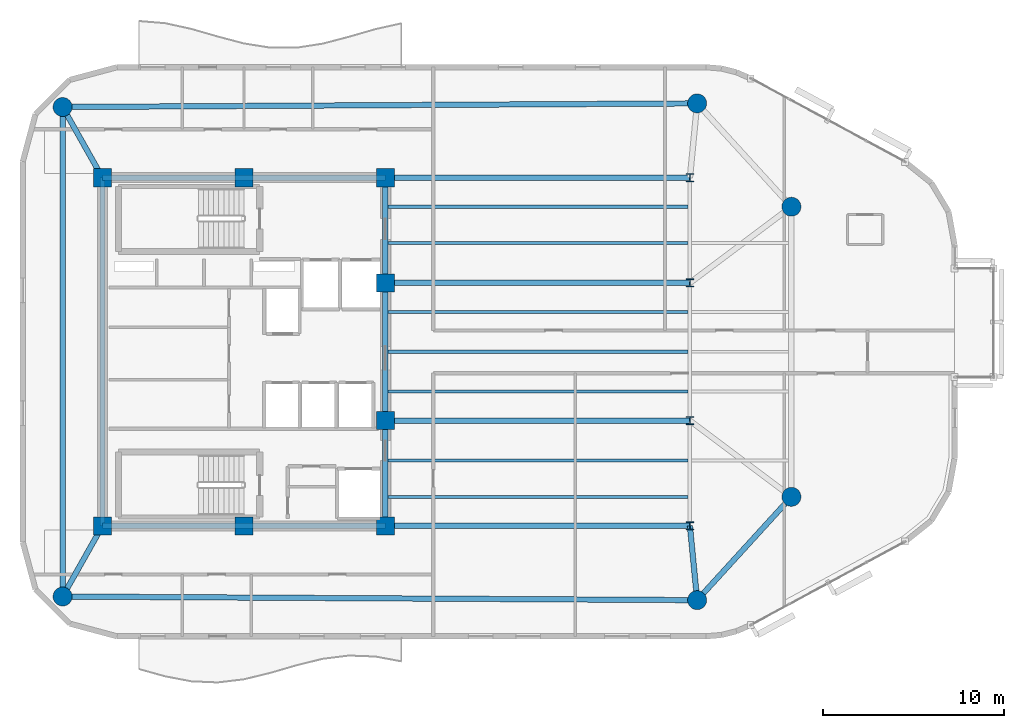
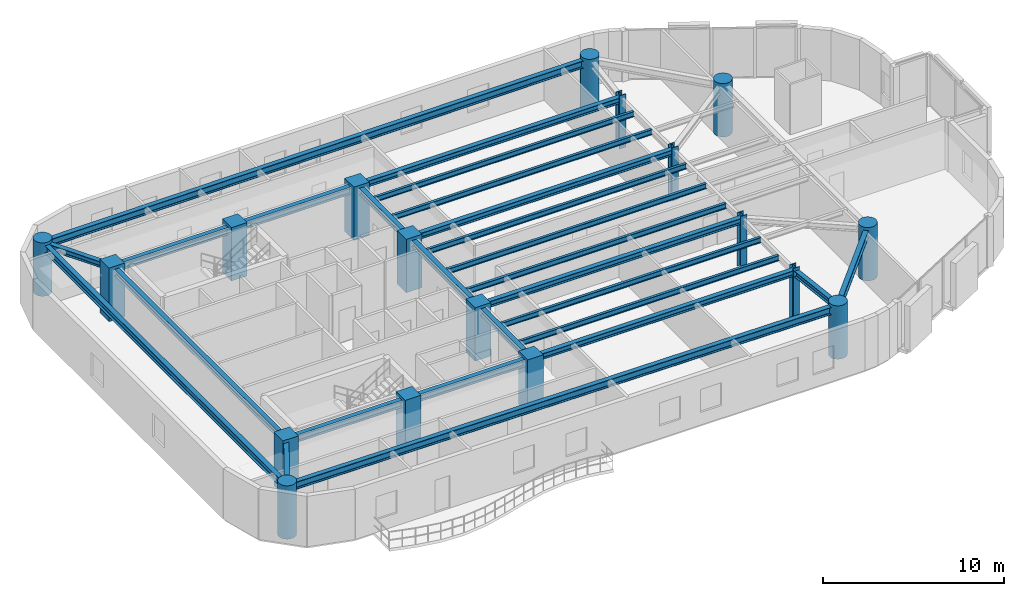
# One storey, part 1 of 15: 24 beams, 18 columns.
"""IFC4 building model written with IfcOpenShell, lengths in metres."""

from ifc_helpers import new_model, si_unit, direction, frame, origin, origin_2d, place, context, subcontext, project, spatial, rectangle, circle, i_section, extrude, material, material_profile, profile_set, type_object, element, save


model = new_model("IFC4")

# Units and contexts
model_context = context("Model", 3, precision=1e-05, world=origin(), true_north=direction((0.0, 1.0)))
body_context = subcontext(model_context, "Body", "Model", "MODEL_VIEW")
ifc_project = project(units=[si_unit("LENGTHUNIT", "METRE"), si_unit("AREAUNIT", "SQUARE_METRE"), si_unit("VOLUMEUNIT", "CUBIC_METRE"), si_unit("PLANEANGLEUNIT", "RADIAN"), si_unit("MASSUNIT", "GRAM", prefix="KILO")], contexts=[model_context])

# Site, building, storey
site_placement = place(None, origin())
site = spatial("IfcSite", under=ifc_project, at=site_placement, CompositionType="ELEMENT")
building_placement = place(site_placement, origin())
building = spatial("IfcBuilding", under=site, at=building_placement, Name="An Khanh Terracotta Commons", CompositionType="ELEMENT")
storey_placement = place(building_placement, frame((0.0, 0.0, 208.5)))
storey = spatial("IfcBuildingStorey", under=building, at=storey_placement, Name="L54", CompositionType="ELEMENT", Elevation=208.5)

# Columns
ifc_material_1 = material(Name="Concrete C60/75", Category="concrete")
ifc_material_profile_1 = material_profile(ifc_material_1, circle(Radius=0.52490234375, at=origin_2d()), Name="CFST1050")
ifc_profile_set_1 = profile_set([ifc_material_profile_1], Name="Concrete C60/75")
column_type_1 = type_object("IfcColumnType", Name="COL-CFST1050", PredefinedType="COLUMN", material=ifc_profile_set_1)
for number, where, z_axis, x_axis, name in (
    (1, (19.39990234375, 10.5, 0.0), (0.0, 0.0, 1.0), (1.0, 0.0, 0.0), "L54 Perimeter CFST Mega-Column MC-01"),
    (2, (54.39990234375, 10.300048828125, 0.0), (0.0, 0.0, 1.0), (1.0, 0.0, 0.0), "L54 Perimeter CFST Mega-Column MC-02"),
    (3, (59.60009765625, 16.0, 0.0), (0.0, 0.0, 1.0), (1.0, 0.0, 0.0), "L54 Perimeter CFST Mega-Column MC-03"),
    (4, (59.60009765625, 32.0, 0.0), (0.0, 0.0, 1.0), (1.0, 0.0, 0.0), "L54 Perimeter CFST Mega-Column MC-04"),
    (5, (54.39990234375, 37.699951171875, 0.0), (0.0, 0.0, 1.0), (1.0, 0.0, 0.0), "L54 Perimeter CFST Mega-Column MC-05"),
    (6, (19.39990234375, 37.5, 0.0), (0.0, 0.0, 1.0), (1.0, 0.0, 0.0), "L54 Perimeter CFST Mega-Column MC-06"),
):
    element("IfcColumn", number, at=place(storey_placement, frame(where, z_axis=z_axis, x_axis=x_axis)), inside=storey, type_object=column_type_1, Name=name, PredefinedType="COLUMN", context=body_context, shape_type="SweptSolid", body=[
        extrude(circle(Radius=0.52490234375, at=origin_2d()), origin(), (0.0, 0.0, 1.0), 3.60009765625),
    ])
ifc_material_2 = material(Name="Steel S460ML", Category="steel")
ifc_material_profile_2 = material_profile(ifc_material_2, i_section(OverallWidth=0.406005859375, OverallDepth=0.43994140625, WebThickness=0.02392578125, FlangeThickness=0.0390625, FilletRadius=0.014892578125, at=origin_2d()), Name="HD400x314")
ifc_profile_set_2 = profile_set([ifc_material_profile_2], Name="Steel S460ML")
column_type_2 = type_object("IfcColumnType", Name="COL-HD400x314", PredefinedType="COLUMN", material=ifc_profile_set_2)
for number, where, z_axis, x_axis, name in (
    (7, (54.0, 14.39990234375, 0.0), (0.0, 0.0, 1.0), (1.0, 0.0, 0.0), "L54 Interior Frame Column TC-01"),
    (8, (54.0, 20.199951171875, 0.0), (0.0, 0.0, 1.0), (1.0, 0.0, 0.0), "L54 Interior Frame Column TC-02"),
    (9, (54.0, 27.800048828125, 0.0), (0.0, 0.0, 1.0), (1.0, 0.0, 0.0), "L54 Interior Frame Column TC-03"),
    (10, (54.0, 33.60009765625, 0.0), (0.0, 0.0, 1.0), (1.0, 0.0, 0.0), "L54 Interior Frame Column TC-04"),
):
    element("IfcColumn", number, at=place(storey_placement, frame(where, z_axis=z_axis, x_axis=x_axis)), inside=storey, type_object=column_type_2, Name=name, PredefinedType="COLUMN", context=body_context, shape_type="SweptSolid", body=[
        extrude(i_section(OverallWidth=0.406005859375, OverallDepth=0.43994140625, WebThickness=0.02392578125, FlangeThickness=0.0390625, FilletRadius=0.014892578125, at=origin_2d()), origin(), (0.0, 0.0, 1.0), 3.60009765625),
    ])
ifc_material_profile_3 = material_profile(ifc_material_1, rectangle(XDim=1.0, YDim=1.0, at=origin_2d()), Name="RC1000x1000")
ifc_profile_set_3 = profile_set([ifc_material_profile_3], Name="Concrete C60/75")
column_type_3 = type_object("IfcColumnType", Name="COL-RC1000x1000", PredefinedType="COLUMN", material=ifc_profile_set_3)
for number, where, z_axis, x_axis, name in (
    (11, (21.60009765625, 14.39990234375, 0.0), (0.0, 0.0, 1.0), (1.0, 0.0, 0.0), "L54 Core Boundary Column CC-01"),
    (12, (29.39990234375, 14.39990234375, 0.0), (0.0, 0.0, 1.0), (1.0, 0.0, 0.0), "L54 Core Boundary Column CC-02"),
    (13, (37.199951171875, 14.39990234375, 0.0), (0.0, 0.0, 1.0), (1.0, 0.0, 0.0), "L54 Core Boundary Column CC-03"),
    (14, (37.199951171875, 20.199951171875, 0.0), (0.0, 0.0, 1.0), (1.0, 0.0, 0.0), "L54 Core Boundary Column CC-04"),
    (15, (37.199951171875, 27.800048828125, 0.0), (0.0, 0.0, 1.0), (1.0, 0.0, 0.0), "L54 Core Boundary Column CC-05"),
    (16, (37.199951171875, 33.60009765625, 0.0), (0.0, 0.0, 1.0), (1.0, 0.0, 0.0), "L54 Core Boundary Column CC-06"),
    (17, (29.39990234375, 33.60009765625, 0.0), (0.0, 0.0, 1.0), (1.0, 0.0, 0.0), "L54 Core Boundary Column CC-07"),
    (18, (21.60009765625, 33.60009765625, 0.0), (0.0, 0.0, 1.0), (1.0, 0.0, 0.0), "L54 Core Boundary Column CC-08"),
):
    element("IfcColumn", number, at=place(storey_placement, frame(where, z_axis=z_axis, x_axis=x_axis)), inside=storey, type_object=column_type_3, Name=name, PredefinedType="COLUMN", context=body_context, shape_type="SweptSolid", body=[
        extrude(rectangle(XDim=1.0, YDim=1.0, at=origin_2d()), origin(), (0.0, 0.0, 1.0), 3.60009765625),
    ])

# Beams
ifc_material_3 = material(Name="Steel S355J2", Category="steel")
ifc_material_profile_4 = material_profile(ifc_material_3, i_section(OverallWidth=0.300048828125, OverallDepth=0.39990234375, WebThickness=0.013427734375, FlangeThickness=0.02392578125, FilletRadius=0.027099609375, at=origin_2d()), Name="HEB400")
ifc_profile_set_4 = profile_set([ifc_material_profile_4], Name="Steel S355J2")
beam_type_1 = type_object("IfcBeamType", Name="BM-HEB400", PredefinedType="BEAM", material=ifc_profile_set_4)
for number, where, z_axis, x_axis, name in (
    (19, (37.199951171875, 14.39990234375, 3.199951171875), (1.0, 0.0, 0.0), (0.0, 1.0, 0.0), "L54 East Primary Floor Girder 1"),
    (20, (37.199951171875, 20.199951171875, 3.199951171875), (1.0, 0.0, 0.0), (0.0, 1.0, 0.0), "L54 East Primary Floor Girder 2"),
    (21, (37.199951171875, 27.800048828125, 3.199951171875), (1.0, 0.0, 0.0), (0.0, 1.0, 0.0), "L54 East Primary Floor Girder 3"),
    (22, (37.199951171875, 33.60009765625, 3.199951171875), (1.0, 0.0, 0.0), (0.0, 1.0, 0.0), "L54 East Primary Floor Girder 4"),
):
    element("IfcBeam", number, at=place(storey_placement, frame(where, z_axis=z_axis, x_axis=x_axis)), inside=storey, type_object=beam_type_1, Name=name, PredefinedType="BEAM", context=body_context, shape_type="SweptSolid", body=[
        extrude(i_section(OverallWidth=0.300048828125, OverallDepth=0.39990234375, WebThickness=0.013427734375, FlangeThickness=0.02392578125, FilletRadius=0.027099609375, at=origin_2d()), origin(), (0.0, 0.0, 1.0), 16.800048828125),
    ])
beam_1_placement = place(storey_placement, frame((19.39990234375, 10.5, 3.199951171875), z_axis=(0.491363608436, 0.870954536302, 0.0), x_axis=(-0.870954536302, 0.491363608436, 0.0)))
element("IfcBeam", 23, at=beam_1_placement, inside=storey, type_object=beam_type_1, Name="L54 Mega-Column Tie Girder 1", PredefinedType="BEAM", context=body_context, shape_type="SweptSolid", body=[
    extrude(i_section(OverallWidth=0.300048828125, OverallDepth=0.39990234375, WebThickness=0.013427734375, FlangeThickness=0.02392578125, FilletRadius=0.027099609375, at=origin_2d()), origin(), (0.0, 0.0, 1.0), 4.477783203125),
])
beam_2_placement = place(storey_placement, frame((54.39990234375, 10.300048828125, 3.199951171875), z_axis=(-0.097079917443, 0.995276589511, 0.0), x_axis=(-0.995276589511, -0.097079917443, 0.0)))
element("IfcBeam", 24, at=beam_2_placement, inside=storey, type_object=beam_type_1, Name="L54 Mega-Column Tie Girder 2", PredefinedType="BEAM", context=body_context, shape_type="SweptSolid", body=[
    extrude(i_section(OverallWidth=0.300048828125, OverallDepth=0.39990234375, WebThickness=0.013427734375, FlangeThickness=0.02392578125, FilletRadius=0.027099609375, at=origin_2d()), origin(), (0.0, 0.0, 1.0), 4.119384765625),
])
beam_3_placement = place(storey_placement, frame((19.39990234375, 37.5, 3.199951171875), z_axis=(0.491363608436, -0.870954536302, 0.0), x_axis=(0.870954536302, 0.491363608436, 0.0)))
element("IfcBeam", 25, at=beam_3_placement, inside=storey, type_object=beam_type_1, Name="L54 Mega-Column Tie Girder 6", PredefinedType="BEAM", context=body_context, shape_type="SweptSolid", body=[
    extrude(i_section(OverallWidth=0.300048828125, OverallDepth=0.39990234375, WebThickness=0.013427734375, FlangeThickness=0.02392578125, FilletRadius=0.027099609375, at=origin_2d()), origin(), (0.0, 0.0, 1.0), 4.477783203125),
])
ifc_material_profile_5 = material_profile(ifc_material_3, i_section(OverallWidth=0.300048828125, OverallDepth=0.449951171875, WebThickness=0.013916015625, FlangeThickness=0.02587890625, FilletRadius=0.027099609375, at=origin_2d()), Name="HEB450")
ifc_profile_set_5 = profile_set([ifc_material_profile_5], Name="Steel S355J2")
beam_type_2 = type_object("IfcBeamType", Name="BM-HEB450", PredefinedType="BEAM", material=ifc_profile_set_5)
beam_4_placement = place(storey_placement, frame((37.199951171875, 14.39990234375, 3.175048828125), z_axis=(0.0, 1.0, 0.0), x_axis=(-1.0, 0.0, 0.0)))
element("IfcBeam", 26, at=beam_4_placement, inside=storey, type_object=beam_type_2, Name="L54 Core East Coupling Girder 1", PredefinedType="BEAM", context=body_context, shape_type="SweptSolid", body=[
    extrude(i_section(OverallWidth=0.300048828125, OverallDepth=0.449951171875, WebThickness=0.013916015625, FlangeThickness=0.02587890625, FilletRadius=0.027099609375, at=origin_2d()), origin(), (0.0, 0.0, 1.0), 5.800048828125),
])
beam_5_placement = place(storey_placement, frame((37.199951171875, 20.199951171875, 3.175048828125), z_axis=(0.0, 1.0, 0.0), x_axis=(-1.0, 0.0, 0.0)))
element("IfcBeam", 27, at=beam_5_placement, inside=storey, type_object=beam_type_2, Name="L54 Core East Coupling Girder 2", PredefinedType="BEAM", context=body_context, shape_type="SweptSolid", body=[
    extrude(i_section(OverallWidth=0.300048828125, OverallDepth=0.449951171875, WebThickness=0.013916015625, FlangeThickness=0.02587890625, FilletRadius=0.027099609375, at=origin_2d()), origin(), (0.0, 0.0, 1.0), 7.60009765625),
])
beam_6_placement = place(storey_placement, frame((37.199951171875, 27.800048828125, 3.175048828125), z_axis=(0.0, 1.0, 0.0), x_axis=(-1.0, 0.0, 0.0)))
element("IfcBeam", 28, at=beam_6_placement, inside=storey, type_object=beam_type_2, Name="L54 Core East Coupling Girder 3", PredefinedType="BEAM", context=body_context, shape_type="SweptSolid", body=[
    extrude(i_section(OverallWidth=0.300048828125, OverallDepth=0.449951171875, WebThickness=0.013916015625, FlangeThickness=0.02587890625, FilletRadius=0.027099609375, at=origin_2d()), origin(), (0.0, 0.0, 1.0), 5.800048828125),
])
beam_7_placement = place(storey_placement, frame((21.60009765625, 14.39990234375, 3.175048828125), z_axis=(0.0, 1.0, 0.0), x_axis=(-1.0, 0.0, 0.0)))
element("IfcBeam", 29, at=beam_7_placement, inside=storey, type_object=beam_type_2, Name="L54 Core West Coupling Girder", PredefinedType="BEAM", context=body_context, shape_type="SweptSolid", body=[
    extrude(i_section(OverallWidth=0.300048828125, OverallDepth=0.449951171875, WebThickness=0.013916015625, FlangeThickness=0.02587890625, FilletRadius=0.027099609375, at=origin_2d()), origin(), (0.0, 0.0, 1.0), 19.2001953125),
])
ifc_material_profile_6 = material_profile(ifc_material_3, i_section(OverallWidth=0.300048828125, OverallDepth=0.5, WebThickness=0.014404296875, FlangeThickness=0.028076171875, FilletRadius=0.027099609375, at=origin_2d()), Name="HEB500")
ifc_profile_set_6 = profile_set([ifc_material_profile_6], Name="Steel S355J2")
beam_type_3 = type_object("IfcBeamType", Name="BM-HEB500", PredefinedType="BEAM", material=ifc_profile_set_6)
for number, where, z_axis, x_axis, name in (
    (30, (21.60009765625, 14.39990234375, 3.14990234375), (1.0, 0.0, 0.0), (0.0, 1.0, 0.0), "L54 Core South Coupling Girder"),
    (31, (21.60009765625, 33.60009765625, 3.14990234375), (1.0, 0.0, 0.0), (0.0, 1.0, 0.0), "L54 Core North Coupling Girder"),
):
    element("IfcBeam", number, at=place(storey_placement, frame(where, z_axis=z_axis, x_axis=x_axis)), inside=storey, type_object=beam_type_3, Name=name, PredefinedType="BEAM", context=body_context, shape_type="SweptSolid", body=[
        extrude(i_section(OverallWidth=0.300048828125, OverallDepth=0.5, WebThickness=0.014404296875, FlangeThickness=0.028076171875, FilletRadius=0.027099609375, at=origin_2d()), origin(), (0.0, 0.0, 1.0), 15.599853515625),
    ])
beam_8_placement = place(storey_placement, frame((19.39990234375, 10.5, 3.14990234375), z_axis=(0.99998368184, -0.005712797401, 0.0), x_axis=(0.005712797401, 0.99998368184, 0.0)))
element("IfcBeam", 32, at=beam_8_placement, inside=storey, type_object=beam_type_3, Name="L54 Perimeter Ring Spandrel 1", PredefinedType="BEAM", context=body_context, shape_type="SweptSolid", body=[
    extrude(i_section(OverallWidth=0.300048828125, OverallDepth=0.5, WebThickness=0.014404296875, FlangeThickness=0.028076171875, FilletRadius=0.027099609375, at=origin_2d()), origin(), (0.0, 0.0, 1.0), 35.00048828125),
])
beam_9_placement = place(storey_placement, frame((54.39990234375, 10.300048828125, 3.14990234375), z_axis=(0.673978953902, 0.738750546326, 0.0), x_axis=(-0.738750546326, 0.673978953902, 0.0)))
element("IfcBeam", 33, at=beam_9_placement, inside=storey, type_object=beam_type_3, Name="L54 Perimeter Ring Spandrel 2", PredefinedType="BEAM", context=body_context, shape_type="SweptSolid", body=[
    extrude(i_section(OverallWidth=0.300048828125, OverallDepth=0.5, WebThickness=0.014404296875, FlangeThickness=0.028076171875, FilletRadius=0.027099609375, at=origin_2d()), origin(), (0.0, 0.0, 1.0), 7.715576171875),
])
beam_10_placement = place(storey_placement, frame((54.39990234375, 37.699951171875, 3.14990234375), z_axis=(-0.99998368184, -0.005712797401, 0.0), x_axis=(0.005712797401, -0.99998368184, 0.0)))
element("IfcBeam", 34, at=beam_10_placement, inside=storey, type_object=beam_type_3, Name="L54 Perimeter Ring Spandrel 5", PredefinedType="BEAM", context=body_context, shape_type="SweptSolid", body=[
    extrude(i_section(OverallWidth=0.300048828125, OverallDepth=0.5, WebThickness=0.014404296875, FlangeThickness=0.028076171875, FilletRadius=0.027099609375, at=origin_2d()), origin(), (0.0, 0.0, 1.0), 35.00048828125),
])
beam_11_placement = place(storey_placement, frame((19.39990234375, 37.5, 3.14990234375), z_axis=(0.0, -1.0, 0.0), x_axis=(1.0, 0.0, 0.0)))
element("IfcBeam", 35, at=beam_11_placement, inside=storey, type_object=beam_type_3, Name="L54 Perimeter Ring Spandrel 6", PredefinedType="BEAM", context=body_context, shape_type="SweptSolid", body=[
    extrude(i_section(OverallWidth=0.300048828125, OverallDepth=0.5, WebThickness=0.014404296875, FlangeThickness=0.028076171875, FilletRadius=0.027099609375, at=origin_2d()), origin(), (0.0, 0.0, 1.0), 27.0),
])
ifc_material_profile_7 = material_profile(ifc_material_3, i_section(OverallWidth=0.169921875, OverallDepth=0.360107421875, WebThickness=0.008056640625, FlangeThickness=0.0126953125, FilletRadius=0.01806640625, at=origin_2d()), Name="IPE360")
ifc_profile_set_7 = profile_set([ifc_material_profile_7], Name="Steel S355J2")
beam_type_4 = type_object("IfcBeamType", Name="BM-IPE360", PredefinedType="JOIST", material=ifc_profile_set_7)
for number, where, z_axis, x_axis, name in (
    (36, (37.199951171875, 16.0, 3.219970703125), (1.0, 0.0, 0.0), (0.0, 1.0, 0.0), "L54 Inboard Composite Joist 1"),
    (37, (37.199951171875, 18.0, 3.219970703125), (1.0, 0.0, 0.0), (0.0, 1.0, 0.0), "L54 Inboard Composite Joist 2"),
    (38, (37.199951171875, 21.800048828125, 3.219970703125), (1.0, 0.0, 0.0), (0.0, 1.0, 0.0), "L54 Inboard Composite Joist 3"),
    (39, (37.199951171875, 24.0, 3.219970703125), (1.0, 0.0, 0.0), (0.0, 1.0, 0.0), "L54 Inboard Composite Joist 4"),
    (40, (37.199951171875, 26.199951171875, 3.219970703125), (1.0, 0.0, 0.0), (0.0, 1.0, 0.0), "L54 Inboard Composite Joist 5"),
    (41, (37.199951171875, 30.0, 3.219970703125), (1.0, 0.0, 0.0), (0.0, 1.0, 0.0), "L54 Inboard Composite Joist 6"),
    (42, (37.199951171875, 32.0, 3.219970703125), (1.0, 0.0, 0.0), (0.0, 1.0, 0.0), "L54 Inboard Composite Joist 7"),
):
    element("IfcBeam", number, at=place(storey_placement, frame(where, z_axis=z_axis, x_axis=x_axis)), inside=storey, type_object=beam_type_4, Name=name, PredefinedType="JOIST", context=body_context, shape_type="SweptSolid", body=[
        extrude(i_section(OverallWidth=0.169921875, OverallDepth=0.360107421875, WebThickness=0.008056640625, FlangeThickness=0.0126953125, FilletRadius=0.01806640625, at=origin_2d()), origin(), (0.0, 0.0, 1.0), 16.705078125),
    ])

save(model, "model.ifc")
